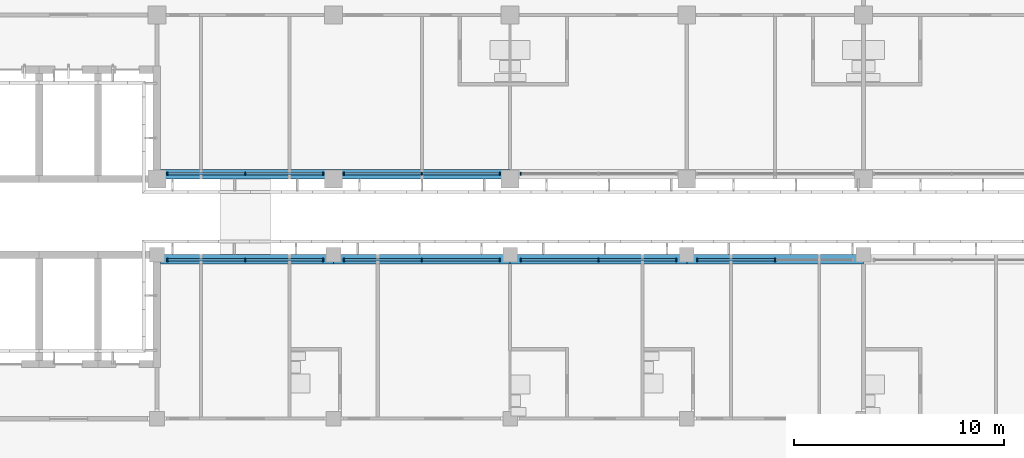
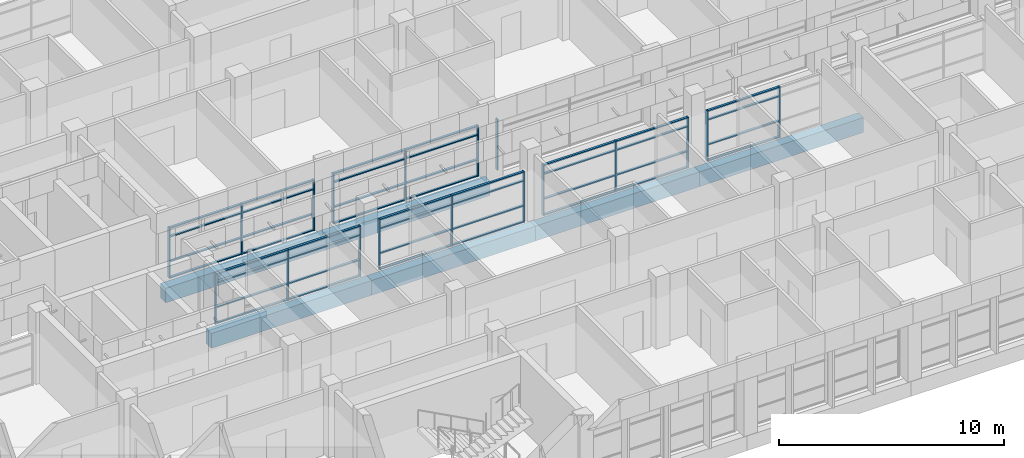
# One storey, part 6 of 74: 62 members, 6 beams, 7 elements without a shape of their own.
"""IFC4 building model written with IfcOpenShell, lengths in metres."""

from ifc_helpers import new_model, si_unit, direction, frame, origin, origin_2d, place, context, subcontext, project, spatial, rectangle, extrude, material, material_profile, profile_set, type_object, element, aggregate, save


model = new_model("IFC4")

# Units and contexts
model_context = context("Model", 3, precision=1e-05, world=origin(), true_north=direction((0.0, 1.0)))
body_context = subcontext(model_context, "Body", "Model", "MODEL_VIEW")
ifc_project = project(units=[si_unit("LENGTHUNIT", "METRE"), si_unit("AREAUNIT", "SQUARE_METRE"), si_unit("VOLUMEUNIT", "CUBIC_METRE"), si_unit("PLANEANGLEUNIT", "RADIAN"), si_unit("MASSUNIT", "GRAM", prefix="KILO")], contexts=[model_context])

# Site, building, storey
site_placement = place(None, origin())
site = spatial("IfcSite", under=ifc_project, at=site_placement, CompositionType="ELEMENT")
building_placement = place(site_placement, origin())
building = spatial("IfcBuilding", under=site, at=building_placement, Name="Bougainvillea Quay General Hospital", CompositionType="ELEMENT")
storey_placement = place(building_placement, frame((0.0, 0.0, 21.0)))
storey = spatial("IfcBuildingStorey", under=building, at=storey_placement, Name="L04", CompositionType="ELEMENT", Elevation=21.0)

# Curtain wall, members
ifc_material_1 = material(Name="Aluminium curtain wall system, powder-coated glazed", Category="aluminium")
curtain_wall_type = type_object("IfcCurtainWallType", Name="Unitised curtain wall CW-3730", PredefinedType="NOTDEFINED", material=ifc_material_1)
curtain_wall_1_placement = place(storey_placement, origin())
curtain_wall_1 = element("IfcCurtainWall", 1, at=curtain_wall_1_placement, inside=storey, type_object=curtain_wall_type, Name="CW-4200 00", PredefinedType="NOTDEFINED")
ifc_material_2 = material(Name="Aluminium mullion, powder-coated charcoal", Category="aluminium")
ifc_material_profile_1 = material_profile(ifc_material_2, rectangle(XDim=0.159912109375, YDim=0.06005859375, at=origin_2d()))
ifc_profile_set_1 = profile_set([ifc_material_profile_1], Name="Aluminium mullion, powder-coated charcoal")
member_type_1 = type_object("IfcMemberType", Name="Curtain wall mullion 160x60", PredefinedType="MULLION", material=ifc_profile_set_1)
member_1_placement = place(storey_placement, frame((76.10009765625, 140.64990234375, 0.0), z_axis=(0.0, 0.0, 1.0), x_axis=(0.0, 1.0, 0.0)))
member_1 = element("IfcMember", 2, at=member_1_placement, type_object=member_type_1, Name="CW-4200 mullion 1", PredefinedType="MULLION", context=body_context, shape_type="SweptSolid", body=[
    extrude(rectangle(XDim=0.159912109375, YDim=0.06005859375, at=origin_2d()), origin(), (0.0, 0.0, 1.0), 2.75),
])
member_2_placement = place(storey_placement, frame((79.800048828125, 140.64990234375, 0.0), z_axis=(0.0, 0.0, 1.0), x_axis=(0.0, 1.0, 0.0)))
member_2 = element("IfcMember", 3, at=member_2_placement, type_object=member_type_1, Name="CW-4200 mullion 2", PredefinedType="MULLION", context=body_context, shape_type="SweptSolid", body=[
    extrude(rectangle(XDim=0.159912109375, YDim=0.06005859375, at=origin_2d()), origin(), (0.0, 0.0, 1.0), 2.75),
])
member_3_placement = place(storey_placement, frame((83.5, 140.64990234375, 0.0), z_axis=(0.0, 0.0, 1.0), x_axis=(0.0, 1.0, 0.0)))
member_3 = element("IfcMember", 4, at=member_3_placement, type_object=member_type_1, Name="CW-4200 mullion 3", PredefinedType="MULLION", context=body_context, shape_type="SweptSolid", body=[
    extrude(rectangle(XDim=0.159912109375, YDim=0.06005859375, at=origin_2d()), origin(), (0.0, 0.0, 1.0), 2.75),
])

curtain_wall_2_placement = place(storey_placement, origin())
curtain_wall_2 = element("IfcCurtainWall", 5, at=curtain_wall_2_placement, inside=storey, type_object=curtain_wall_type, Name="CW-4200 01", PredefinedType="NOTDEFINED")
member_4_placement = place(storey_placement, frame((84.5, 140.64990234375, 0.0), z_axis=(0.0, 0.0, 1.0), x_axis=(0.0, 1.0, 0.0)))
member_4 = element("IfcMember", 6, at=member_4_placement, type_object=member_type_1, Name="CW-4200 mullion 1", PredefinedType="MULLION", context=body_context, shape_type="SweptSolid", body=[
    extrude(rectangle(XDim=0.159912109375, YDim=0.06005859375, at=origin_2d()), origin(), (0.0, 0.0, 1.0), 2.75),
])
member_5_placement = place(storey_placement, frame((88.199951171875, 140.64990234375, 0.0), z_axis=(0.0, 0.0, 1.0), x_axis=(0.0, 1.0, 0.0)))
member_5 = element("IfcMember", 7, at=member_5_placement, type_object=member_type_1, Name="CW-4200 mullion 2", PredefinedType="MULLION", context=body_context, shape_type="SweptSolid", body=[
    extrude(rectangle(XDim=0.159912109375, YDim=0.06005859375, at=origin_2d()), origin(), (0.0, 0.0, 1.0), 2.75),
])
member_6_placement = place(storey_placement, frame((91.89990234375, 140.64990234375, 0.0), z_axis=(0.0, 0.0, 1.0), x_axis=(0.0, 1.0, 0.0)))
member_6 = element("IfcMember", 8, at=member_6_placement, type_object=member_type_1, Name="CW-4200 mullion 3", PredefinedType="MULLION", context=body_context, shape_type="SweptSolid", body=[
    extrude(rectangle(XDim=0.159912109375, YDim=0.06005859375, at=origin_2d()), origin(), (0.0, 0.0, 1.0), 2.75),
])

# Curtain wall, member
curtain_wall_3_placement = place(storey_placement, origin())
curtain_wall_3 = element("IfcCurtainWall", 9, at=curtain_wall_3_placement, inside=storey, type_object=curtain_wall_type, Name="CW-4200 02", PredefinedType="NOTDEFINED")
member_7_placement = place(storey_placement, frame((92.89990234375, 140.64990234375, 0.0), z_axis=(0.0, 0.0, 1.0), x_axis=(0.0, 1.0, 0.0)))
member_7 = element("IfcMember", 10, at=member_7_placement, type_object=member_type_1, Name="CW-4200 mullion 1", PredefinedType="MULLION", context=body_context, shape_type="SweptSolid", body=[
    extrude(rectangle(XDim=0.159912109375, YDim=0.06005859375, at=origin_2d()), origin(), (0.0, 0.0, 1.0), 2.75),
])
aggregate(curtain_wall_3, [member_7])

# Curtain wall, members
curtain_wall_4_placement = place(storey_placement, origin())
curtain_wall_4 = element("IfcCurtainWall", 11, at=curtain_wall_4_placement, inside=storey, type_object=curtain_wall_type, Name="CW-4200 03", PredefinedType="NOTDEFINED")
member_8_placement = place(storey_placement, frame((105.0, 136.550048828125, 0.0), z_axis=(0.0, 0.0, 1.0), x_axis=(0.0, -1.0, 0.0)))
member_8 = element("IfcMember", 12, at=member_8_placement, type_object=member_type_1, Name="CW-4200 mullion 2", PredefinedType="MULLION", context=body_context, shape_type="SweptSolid", body=[
    extrude(rectangle(XDim=0.159912109375, YDim=0.06005859375, at=origin_2d()), origin(), (0.0, 0.0, 1.0), 2.75),
])
member_9_placement = place(storey_placement, frame((101.300048828125, 136.550048828125, 0.0), z_axis=(0.0, 0.0, 1.0), x_axis=(0.0, -1.0, 0.0)))
member_9 = element("IfcMember", 13, at=member_9_placement, type_object=member_type_1, Name="CW-4200 mullion 3", PredefinedType="MULLION", context=body_context, shape_type="SweptSolid", body=[
    extrude(rectangle(XDim=0.159912109375, YDim=0.06005859375, at=origin_2d()), origin(), (0.0, 0.0, 1.0), 2.75),
])

curtain_wall_5_placement = place(storey_placement, origin())
curtain_wall_5 = element("IfcCurtainWall", 14, at=curtain_wall_5_placement, inside=storey, type_object=curtain_wall_type, Name="CW-4200 04", PredefinedType="NOTDEFINED")
member_10_placement = place(storey_placement, frame((100.300048828125, 136.550048828125, 0.0), z_axis=(0.0, 0.0, 1.0), x_axis=(0.0, -1.0, 0.0)))
member_10 = element("IfcMember", 15, at=member_10_placement, type_object=member_type_1, Name="CW-4200 mullion 1", PredefinedType="MULLION", context=body_context, shape_type="SweptSolid", body=[
    extrude(rectangle(XDim=0.159912109375, YDim=0.06005859375, at=origin_2d()), origin(), (0.0, 0.0, 1.0), 2.75),
])
member_11_placement = place(storey_placement, frame((96.60009765625, 136.550048828125, 0.0), z_axis=(0.0, 0.0, 1.0), x_axis=(0.0, -1.0, 0.0)))
member_11 = element("IfcMember", 16, at=member_11_placement, type_object=member_type_1, Name="CW-4200 mullion 2", PredefinedType="MULLION", context=body_context, shape_type="SweptSolid", body=[
    extrude(rectangle(XDim=0.159912109375, YDim=0.06005859375, at=origin_2d()), origin(), (0.0, 0.0, 1.0), 2.75),
])
member_12_placement = place(storey_placement, frame((92.89990234375, 136.550048828125, 0.0), z_axis=(0.0, 0.0, 1.0), x_axis=(0.0, -1.0, 0.0)))
member_12 = element("IfcMember", 17, at=member_12_placement, type_object=member_type_1, Name="CW-4200 mullion 3", PredefinedType="MULLION", context=body_context, shape_type="SweptSolid", body=[
    extrude(rectangle(XDim=0.159912109375, YDim=0.06005859375, at=origin_2d()), origin(), (0.0, 0.0, 1.0), 2.75),
])

curtain_wall_6_placement = place(storey_placement, origin())
curtain_wall_6 = element("IfcCurtainWall", 18, at=curtain_wall_6_placement, inside=storey, type_object=curtain_wall_type, Name="CW-4200 05", PredefinedType="NOTDEFINED")
member_13_placement = place(storey_placement, frame((91.89990234375, 136.550048828125, 0.0), z_axis=(0.0, 0.0, 1.0), x_axis=(0.0, -1.0, 0.0)))
member_13 = element("IfcMember", 19, at=member_13_placement, type_object=member_type_1, Name="CW-4200 mullion 1", PredefinedType="MULLION", context=body_context, shape_type="SweptSolid", body=[
    extrude(rectangle(XDim=0.159912109375, YDim=0.06005859375, at=origin_2d()), origin(), (0.0, 0.0, 1.0), 2.75),
])
member_14_placement = place(storey_placement, frame((88.199951171875, 136.550048828125, 0.0), z_axis=(0.0, 0.0, 1.0), x_axis=(0.0, -1.0, 0.0)))
member_14 = element("IfcMember", 20, at=member_14_placement, type_object=member_type_1, Name="CW-4200 mullion 2", PredefinedType="MULLION", context=body_context, shape_type="SweptSolid", body=[
    extrude(rectangle(XDim=0.159912109375, YDim=0.06005859375, at=origin_2d()), origin(), (0.0, 0.0, 1.0), 2.75),
])
member_15_placement = place(storey_placement, frame((84.5, 136.550048828125, 0.0), z_axis=(0.0, 0.0, 1.0), x_axis=(0.0, -1.0, 0.0)))
member_15 = element("IfcMember", 21, at=member_15_placement, type_object=member_type_1, Name="CW-4200 mullion 3", PredefinedType="MULLION", context=body_context, shape_type="SweptSolid", body=[
    extrude(rectangle(XDim=0.159912109375, YDim=0.06005859375, at=origin_2d()), origin(), (0.0, 0.0, 1.0), 2.75),
])

curtain_wall_7_placement = place(storey_placement, origin())
curtain_wall_7 = element("IfcCurtainWall", 22, at=curtain_wall_7_placement, inside=storey, type_object=curtain_wall_type, Name="CW-4200 06", PredefinedType="NOTDEFINED")
member_16_placement = place(storey_placement, frame((83.5, 136.550048828125, 0.0), z_axis=(0.0, 0.0, 1.0), x_axis=(0.0, -1.0, 0.0)))
member_16 = element("IfcMember", 23, at=member_16_placement, type_object=member_type_1, Name="CW-4200 mullion 1", PredefinedType="MULLION", context=body_context, shape_type="SweptSolid", body=[
    extrude(rectangle(XDim=0.159912109375, YDim=0.06005859375, at=origin_2d()), origin(), (0.0, 0.0, 1.0), 2.75),
])
member_17_placement = place(storey_placement, frame((79.800048828125, 136.550048828125, 0.0), z_axis=(0.0, 0.0, 1.0), x_axis=(0.0, -1.0, 0.0)))
member_17 = element("IfcMember", 24, at=member_17_placement, type_object=member_type_1, Name="CW-4200 mullion 2", PredefinedType="MULLION", context=body_context, shape_type="SweptSolid", body=[
    extrude(rectangle(XDim=0.159912109375, YDim=0.06005859375, at=origin_2d()), origin(), (0.0, 0.0, 1.0), 2.75),
])
member_18_placement = place(storey_placement, frame((76.10009765625, 136.550048828125, 0.0), z_axis=(0.0, 0.0, 1.0), x_axis=(0.0, -1.0, 0.0)))
member_18 = element("IfcMember", 25, at=member_18_placement, type_object=member_type_1, Name="CW-4200 mullion 3", PredefinedType="MULLION", context=body_context, shape_type="SweptSolid", body=[
    extrude(rectangle(XDim=0.159912109375, YDim=0.06005859375, at=origin_2d()), origin(), (0.0, 0.0, 1.0), 2.75),
])

# Member
ifc_material_3 = material(Name="Aluminium transom, powder-coated charcoal", Category="aluminium")
ifc_material_profile_2 = material_profile(ifc_material_3, rectangle(XDim=0.1201171875, YDim=0.06005859375, at=origin_2d()))
ifc_profile_set_2 = profile_set([ifc_material_profile_2], Name="Aluminium transom, powder-coated charcoal")
member_type_2 = type_object("IfcMemberType", Name="Curtain wall transom 120x60", PredefinedType="USERDEFINED", material=ifc_profile_set_2)
member_19_placement = place(storey_placement, frame((76.1298828125, 140.64990234375, 0.030029296875), z_axis=(1.0, 0.0, 0.0), x_axis=(0.0, 1.0, 0.0)))
member_19 = element("IfcMember", 26, at=member_19_placement, type_object=member_type_2, Name="CW-4200 transom 1.1", ObjectType="TRANSOM", PredefinedType="USERDEFINED", context=body_context, shape_type="SweptSolid", body=[
    extrude(rectangle(XDim=0.1201171875, YDim=0.06005859375, at=origin_2d()), origin(), (0.0, 0.0, 1.0), 3.64013671875),
])

member_20_placement = place(storey_placement, frame((76.1298828125, 140.64990234375, 0.89990234375), z_axis=(1.0, 0.0, 0.0), x_axis=(0.0, 1.0, 0.0)))
member_20 = element("IfcMember", 27, at=member_20_placement, type_object=member_type_2, Name="CW-4200 transom 1.2", ObjectType="TRANSOM", PredefinedType="USERDEFINED", context=body_context, shape_type="SweptSolid", body=[
    extrude(rectangle(XDim=0.1201171875, YDim=0.06005859375, at=origin_2d()), origin(), (0.0, 0.0, 1.0), 3.64013671875),
])

member_21_placement = place(storey_placement, frame((76.1298828125, 140.64990234375, 2.25), z_axis=(1.0, 0.0, 0.0), x_axis=(0.0, 1.0, 0.0)))
member_21 = element("IfcMember", 28, at=member_21_placement, type_object=member_type_2, Name="CW-4200 transom 1.3", ObjectType="TRANSOM", PredefinedType="USERDEFINED", context=body_context, shape_type="SweptSolid", body=[
    extrude(rectangle(XDim=0.1201171875, YDim=0.06005859375, at=origin_2d()), origin(), (0.0, 0.0, 1.0), 3.64013671875),
])

member_22_placement = place(storey_placement, frame((76.1298828125, 140.64990234375, 2.719970703125), z_axis=(1.0, 0.0, 0.0), x_axis=(0.0, 1.0, 0.0)))
member_22 = element("IfcMember", 29, at=member_22_placement, type_object=member_type_2, Name="CW-4200 transom 1.4", ObjectType="TRANSOM", PredefinedType="USERDEFINED", context=body_context, shape_type="SweptSolid", body=[
    extrude(rectangle(XDim=0.1201171875, YDim=0.06005859375, at=origin_2d()), origin(), (0.0, 0.0, 1.0), 3.64013671875),
])

member_23_placement = place(storey_placement, frame((79.830078125, 140.64990234375, 0.030029296875), z_axis=(1.0, 0.0, 0.0), x_axis=(0.0, 1.0, 0.0)))
member_23 = element("IfcMember", 30, at=member_23_placement, type_object=member_type_2, Name="CW-4200 transom 2.1", ObjectType="TRANSOM", PredefinedType="USERDEFINED", context=body_context, shape_type="SweptSolid", body=[
    extrude(rectangle(XDim=0.1201171875, YDim=0.06005859375, at=origin_2d()), origin(), (0.0, 0.0, 1.0), 3.639892578125),
])

member_24_placement = place(storey_placement, frame((79.830078125, 140.64990234375, 0.89990234375), z_axis=(1.0, 0.0, 0.0), x_axis=(0.0, 1.0, 0.0)))
member_24 = element("IfcMember", 31, at=member_24_placement, type_object=member_type_2, Name="CW-4200 transom 2.2", ObjectType="TRANSOM", PredefinedType="USERDEFINED", context=body_context, shape_type="SweptSolid", body=[
    extrude(rectangle(XDim=0.1201171875, YDim=0.06005859375, at=origin_2d()), origin(), (0.0, 0.0, 1.0), 3.639892578125),
])

member_25_placement = place(storey_placement, frame((79.830078125, 140.64990234375, 2.25), z_axis=(1.0, 0.0, 0.0), x_axis=(0.0, 1.0, 0.0)))
member_25 = element("IfcMember", 32, at=member_25_placement, type_object=member_type_2, Name="CW-4200 transom 2.3", ObjectType="TRANSOM", PredefinedType="USERDEFINED", context=body_context, shape_type="SweptSolid", body=[
    extrude(rectangle(XDim=0.1201171875, YDim=0.06005859375, at=origin_2d()), origin(), (0.0, 0.0, 1.0), 3.639892578125),
])

member_26_placement = place(storey_placement, frame((79.830078125, 140.64990234375, 2.719970703125), z_axis=(1.0, 0.0, 0.0), x_axis=(0.0, 1.0, 0.0)))
member_26 = element("IfcMember", 33, at=member_26_placement, type_object=member_type_2, Name="CW-4200 transom 2.4", ObjectType="TRANSOM", PredefinedType="USERDEFINED", context=body_context, shape_type="SweptSolid", body=[
    extrude(rectangle(XDim=0.1201171875, YDim=0.06005859375, at=origin_2d()), origin(), (0.0, 0.0, 1.0), 3.639892578125),
])

aggregate(curtain_wall_1, [member_1, member_2, member_3, member_19, member_20, member_21, member_22, member_23, member_24, member_25, member_26])

member_27_placement = place(storey_placement, frame((84.530029296875, 140.64990234375, 0.030029296875), z_axis=(1.0, 0.0, 0.0), x_axis=(0.0, 1.0, 0.0)))
member_27 = element("IfcMember", 34, at=member_27_placement, type_object=member_type_2, Name="CW-4200 transom 1.1", ObjectType="TRANSOM", PredefinedType="USERDEFINED", context=body_context, shape_type="SweptSolid", body=[
    extrude(rectangle(XDim=0.1201171875, YDim=0.06005859375, at=origin_2d()), origin(), (0.0, 0.0, 1.0), 3.639892578125),
])

member_28_placement = place(storey_placement, frame((84.530029296875, 140.64990234375, 0.89990234375), z_axis=(1.0, 0.0, 0.0), x_axis=(0.0, 1.0, 0.0)))
member_28 = element("IfcMember", 35, at=member_28_placement, type_object=member_type_2, Name="CW-4200 transom 1.2", ObjectType="TRANSOM", PredefinedType="USERDEFINED", context=body_context, shape_type="SweptSolid", body=[
    extrude(rectangle(XDim=0.1201171875, YDim=0.06005859375, at=origin_2d()), origin(), (0.0, 0.0, 1.0), 3.639892578125),
])

member_29_placement = place(storey_placement, frame((84.530029296875, 140.64990234375, 2.25), z_axis=(1.0, 0.0, 0.0), x_axis=(0.0, 1.0, 0.0)))
member_29 = element("IfcMember", 36, at=member_29_placement, type_object=member_type_2, Name="CW-4200 transom 1.3", ObjectType="TRANSOM", PredefinedType="USERDEFINED", context=body_context, shape_type="SweptSolid", body=[
    extrude(rectangle(XDim=0.1201171875, YDim=0.06005859375, at=origin_2d()), origin(), (0.0, 0.0, 1.0), 3.639892578125),
])

member_30_placement = place(storey_placement, frame((84.530029296875, 140.64990234375, 2.719970703125), z_axis=(1.0, 0.0, 0.0), x_axis=(0.0, 1.0, 0.0)))
member_30 = element("IfcMember", 37, at=member_30_placement, type_object=member_type_2, Name="CW-4200 transom 1.4", ObjectType="TRANSOM", PredefinedType="USERDEFINED", context=body_context, shape_type="SweptSolid", body=[
    extrude(rectangle(XDim=0.1201171875, YDim=0.06005859375, at=origin_2d()), origin(), (0.0, 0.0, 1.0), 3.639892578125),
])

member_31_placement = place(storey_placement, frame((88.22998046875, 140.64990234375, 0.030029296875), z_axis=(1.0, 0.0, 0.0), x_axis=(0.0, 1.0, 0.0)))
member_31 = element("IfcMember", 38, at=member_31_placement, type_object=member_type_2, Name="CW-4200 transom 2.1", ObjectType="TRANSOM", PredefinedType="USERDEFINED", context=body_context, shape_type="SweptSolid", body=[
    extrude(rectangle(XDim=0.1201171875, YDim=0.06005859375, at=origin_2d()), origin(), (0.0, 0.0, 1.0), 3.64013671875),
])

member_32_placement = place(storey_placement, frame((88.22998046875, 140.64990234375, 0.89990234375), z_axis=(1.0, 0.0, 0.0), x_axis=(0.0, 1.0, 0.0)))
member_32 = element("IfcMember", 39, at=member_32_placement, type_object=member_type_2, Name="CW-4200 transom 2.2", ObjectType="TRANSOM", PredefinedType="USERDEFINED", context=body_context, shape_type="SweptSolid", body=[
    extrude(rectangle(XDim=0.1201171875, YDim=0.06005859375, at=origin_2d()), origin(), (0.0, 0.0, 1.0), 3.64013671875),
])

member_33_placement = place(storey_placement, frame((88.22998046875, 140.64990234375, 2.25), z_axis=(1.0, 0.0, 0.0), x_axis=(0.0, 1.0, 0.0)))
member_33 = element("IfcMember", 40, at=member_33_placement, type_object=member_type_2, Name="CW-4200 transom 2.3", ObjectType="TRANSOM", PredefinedType="USERDEFINED", context=body_context, shape_type="SweptSolid", body=[
    extrude(rectangle(XDim=0.1201171875, YDim=0.06005859375, at=origin_2d()), origin(), (0.0, 0.0, 1.0), 3.64013671875),
])

member_34_placement = place(storey_placement, frame((88.22998046875, 140.64990234375, 2.719970703125), z_axis=(1.0, 0.0, 0.0), x_axis=(0.0, 1.0, 0.0)))
member_34 = element("IfcMember", 41, at=member_34_placement, type_object=member_type_2, Name="CW-4200 transom 2.4", ObjectType="TRANSOM", PredefinedType="USERDEFINED", context=body_context, shape_type="SweptSolid", body=[
    extrude(rectangle(XDim=0.1201171875, YDim=0.06005859375, at=origin_2d()), origin(), (0.0, 0.0, 1.0), 3.64013671875),
])

aggregate(curtain_wall_2, [member_4, member_5, member_6, member_27, member_28, member_29, member_30, member_31, member_32, member_33, member_34])

member_35_placement = place(storey_placement, frame((104.969970703125, 136.550048828125, 0.030029296875), z_axis=(-1.0, 0.0, 0.0), x_axis=(0.0, -1.0, 0.0)))
member_35 = element("IfcMember", 42, at=member_35_placement, type_object=member_type_2, Name="CW-4200 transom 2.1", ObjectType="TRANSOM", PredefinedType="USERDEFINED", context=body_context, shape_type="SweptSolid", body=[
    extrude(rectangle(XDim=0.1201171875, YDim=0.06005859375, at=origin_2d()), origin(), (0.0, 0.0, 1.0), 3.639892578125),
])

member_36_placement = place(storey_placement, frame((104.969970703125, 136.550048828125, 0.89990234375), z_axis=(-1.0, 0.0, 0.0), x_axis=(0.0, -1.0, 0.0)))
member_36 = element("IfcMember", 43, at=member_36_placement, type_object=member_type_2, Name="CW-4200 transom 2.2", ObjectType="TRANSOM", PredefinedType="USERDEFINED", context=body_context, shape_type="SweptSolid", body=[
    extrude(rectangle(XDim=0.1201171875, YDim=0.06005859375, at=origin_2d()), origin(), (0.0, 0.0, 1.0), 3.639892578125),
])

member_37_placement = place(storey_placement, frame((104.969970703125, 136.550048828125, 2.25), z_axis=(-1.0, 0.0, 0.0), x_axis=(0.0, -1.0, 0.0)))
member_37 = element("IfcMember", 44, at=member_37_placement, type_object=member_type_2, Name="CW-4200 transom 2.3", ObjectType="TRANSOM", PredefinedType="USERDEFINED", context=body_context, shape_type="SweptSolid", body=[
    extrude(rectangle(XDim=0.1201171875, YDim=0.06005859375, at=origin_2d()), origin(), (0.0, 0.0, 1.0), 3.639892578125),
])

member_38_placement = place(storey_placement, frame((104.969970703125, 136.550048828125, 2.719970703125), z_axis=(-1.0, 0.0, 0.0), x_axis=(0.0, -1.0, 0.0)))
member_38 = element("IfcMember", 45, at=member_38_placement, type_object=member_type_2, Name="CW-4200 transom 2.4", ObjectType="TRANSOM", PredefinedType="USERDEFINED", context=body_context, shape_type="SweptSolid", body=[
    extrude(rectangle(XDim=0.1201171875, YDim=0.06005859375, at=origin_2d()), origin(), (0.0, 0.0, 1.0), 3.639892578125),
])

aggregate(curtain_wall_4, [member_8, member_9, member_35, member_36, member_37, member_38])

member_39_placement = place(storey_placement, frame((100.27001953125, 136.550048828125, 0.030029296875), z_axis=(-1.0, 0.0, 0.0), x_axis=(0.0, -1.0, 0.0)))
member_39 = element("IfcMember", 46, at=member_39_placement, type_object=member_type_2, Name="CW-4200 transom 1.1", ObjectType="TRANSOM", PredefinedType="USERDEFINED", context=body_context, shape_type="SweptSolid", body=[
    extrude(rectangle(XDim=0.1201171875, YDim=0.06005859375, at=origin_2d()), origin(), (0.0, 0.0, 1.0), 3.64013671875),
])

member_40_placement = place(storey_placement, frame((100.27001953125, 136.550048828125, 0.89990234375), z_axis=(-1.0, 0.0, 0.0), x_axis=(0.0, -1.0, 0.0)))
member_40 = element("IfcMember", 47, at=member_40_placement, type_object=member_type_2, Name="CW-4200 transom 1.2", ObjectType="TRANSOM", PredefinedType="USERDEFINED", context=body_context, shape_type="SweptSolid", body=[
    extrude(rectangle(XDim=0.1201171875, YDim=0.06005859375, at=origin_2d()), origin(), (0.0, 0.0, 1.0), 3.64013671875),
])

member_41_placement = place(storey_placement, frame((100.27001953125, 136.550048828125, 2.25), z_axis=(-1.0, 0.0, 0.0), x_axis=(0.0, -1.0, 0.0)))
member_41 = element("IfcMember", 48, at=member_41_placement, type_object=member_type_2, Name="CW-4200 transom 1.3", ObjectType="TRANSOM", PredefinedType="USERDEFINED", context=body_context, shape_type="SweptSolid", body=[
    extrude(rectangle(XDim=0.1201171875, YDim=0.06005859375, at=origin_2d()), origin(), (0.0, 0.0, 1.0), 3.64013671875),
])

member_42_placement = place(storey_placement, frame((100.27001953125, 136.550048828125, 2.719970703125), z_axis=(-1.0, 0.0, 0.0), x_axis=(0.0, -1.0, 0.0)))
member_42 = element("IfcMember", 49, at=member_42_placement, type_object=member_type_2, Name="CW-4200 transom 1.4", ObjectType="TRANSOM", PredefinedType="USERDEFINED", context=body_context, shape_type="SweptSolid", body=[
    extrude(rectangle(XDim=0.1201171875, YDim=0.06005859375, at=origin_2d()), origin(), (0.0, 0.0, 1.0), 3.64013671875),
])

member_43_placement = place(storey_placement, frame((96.570068359375, 136.550048828125, 0.030029296875), z_axis=(-1.0, 0.0, 0.0), x_axis=(0.0, -1.0, 0.0)))
member_43 = element("IfcMember", 50, at=member_43_placement, type_object=member_type_2, Name="CW-4200 transom 2.1", ObjectType="TRANSOM", PredefinedType="USERDEFINED", context=body_context, shape_type="SweptSolid", body=[
    extrude(rectangle(XDim=0.1201171875, YDim=0.06005859375, at=origin_2d()), origin(), (0.0, 0.0, 1.0), 3.64013671875),
])

member_44_placement = place(storey_placement, frame((96.570068359375, 136.550048828125, 0.89990234375), z_axis=(-1.0, 0.0, 0.0), x_axis=(0.0, -1.0, 0.0)))
member_44 = element("IfcMember", 51, at=member_44_placement, type_object=member_type_2, Name="CW-4200 transom 2.2", ObjectType="TRANSOM", PredefinedType="USERDEFINED", context=body_context, shape_type="SweptSolid", body=[
    extrude(rectangle(XDim=0.1201171875, YDim=0.06005859375, at=origin_2d()), origin(), (0.0, 0.0, 1.0), 3.64013671875),
])

member_45_placement = place(storey_placement, frame((96.570068359375, 136.550048828125, 2.25), z_axis=(-1.0, 0.0, 0.0), x_axis=(0.0, -1.0, 0.0)))
member_45 = element("IfcMember", 52, at=member_45_placement, type_object=member_type_2, Name="CW-4200 transom 2.3", ObjectType="TRANSOM", PredefinedType="USERDEFINED", context=body_context, shape_type="SweptSolid", body=[
    extrude(rectangle(XDim=0.1201171875, YDim=0.06005859375, at=origin_2d()), origin(), (0.0, 0.0, 1.0), 3.64013671875),
])

member_46_placement = place(storey_placement, frame((96.570068359375, 136.550048828125, 2.719970703125), z_axis=(-1.0, 0.0, 0.0), x_axis=(0.0, -1.0, 0.0)))
member_46 = element("IfcMember", 53, at=member_46_placement, type_object=member_type_2, Name="CW-4200 transom 2.4", ObjectType="TRANSOM", PredefinedType="USERDEFINED", context=body_context, shape_type="SweptSolid", body=[
    extrude(rectangle(XDim=0.1201171875, YDim=0.06005859375, at=origin_2d()), origin(), (0.0, 0.0, 1.0), 3.64013671875),
])

aggregate(curtain_wall_5, [member_10, member_11, member_12, member_39, member_40, member_41, member_42, member_43, member_44, member_45, member_46])

member_47_placement = place(storey_placement, frame((91.8701171875, 136.550048828125, 0.030029296875), z_axis=(-1.0, 0.0, 0.0), x_axis=(0.0, -1.0, 0.0)))
member_47 = element("IfcMember", 54, at=member_47_placement, type_object=member_type_2, Name="CW-4200 transom 1.1", ObjectType="TRANSOM", PredefinedType="USERDEFINED", context=body_context, shape_type="SweptSolid", body=[
    extrude(rectangle(XDim=0.1201171875, YDim=0.06005859375, at=origin_2d()), origin(), (0.0, 0.0, 1.0), 3.64013671875),
])

member_48_placement = place(storey_placement, frame((91.8701171875, 136.550048828125, 0.89990234375), z_axis=(-1.0, 0.0, 0.0), x_axis=(0.0, -1.0, 0.0)))
member_48 = element("IfcMember", 55, at=member_48_placement, type_object=member_type_2, Name="CW-4200 transom 1.2", ObjectType="TRANSOM", PredefinedType="USERDEFINED", context=body_context, shape_type="SweptSolid", body=[
    extrude(rectangle(XDim=0.1201171875, YDim=0.06005859375, at=origin_2d()), origin(), (0.0, 0.0, 1.0), 3.64013671875),
])

member_49_placement = place(storey_placement, frame((91.8701171875, 136.550048828125, 2.25), z_axis=(-1.0, 0.0, 0.0), x_axis=(0.0, -1.0, 0.0)))
member_49 = element("IfcMember", 56, at=member_49_placement, type_object=member_type_2, Name="CW-4200 transom 1.3", ObjectType="TRANSOM", PredefinedType="USERDEFINED", context=body_context, shape_type="SweptSolid", body=[
    extrude(rectangle(XDim=0.1201171875, YDim=0.06005859375, at=origin_2d()), origin(), (0.0, 0.0, 1.0), 3.64013671875),
])

member_50_placement = place(storey_placement, frame((91.8701171875, 136.550048828125, 2.719970703125), z_axis=(-1.0, 0.0, 0.0), x_axis=(0.0, -1.0, 0.0)))
member_50 = element("IfcMember", 57, at=member_50_placement, type_object=member_type_2, Name="CW-4200 transom 1.4", ObjectType="TRANSOM", PredefinedType="USERDEFINED", context=body_context, shape_type="SweptSolid", body=[
    extrude(rectangle(XDim=0.1201171875, YDim=0.06005859375, at=origin_2d()), origin(), (0.0, 0.0, 1.0), 3.64013671875),
])

member_51_placement = place(storey_placement, frame((88.169921875, 136.550048828125, 0.030029296875), z_axis=(-1.0, 0.0, 0.0), x_axis=(0.0, -1.0, 0.0)))
member_51 = element("IfcMember", 58, at=member_51_placement, type_object=member_type_2, Name="CW-4200 transom 2.1", ObjectType="TRANSOM", PredefinedType="USERDEFINED", context=body_context, shape_type="SweptSolid", body=[
    extrude(rectangle(XDim=0.1201171875, YDim=0.06005859375, at=origin_2d()), origin(), (0.0, 0.0, 1.0), 3.639892578125),
])

member_52_placement = place(storey_placement, frame((88.169921875, 136.550048828125, 0.89990234375), z_axis=(-1.0, 0.0, 0.0), x_axis=(0.0, -1.0, 0.0)))
member_52 = element("IfcMember", 59, at=member_52_placement, type_object=member_type_2, Name="CW-4200 transom 2.2", ObjectType="TRANSOM", PredefinedType="USERDEFINED", context=body_context, shape_type="SweptSolid", body=[
    extrude(rectangle(XDim=0.1201171875, YDim=0.06005859375, at=origin_2d()), origin(), (0.0, 0.0, 1.0), 3.639892578125),
])

member_53_placement = place(storey_placement, frame((88.169921875, 136.550048828125, 2.25), z_axis=(-1.0, 0.0, 0.0), x_axis=(0.0, -1.0, 0.0)))
member_53 = element("IfcMember", 60, at=member_53_placement, type_object=member_type_2, Name="CW-4200 transom 2.3", ObjectType="TRANSOM", PredefinedType="USERDEFINED", context=body_context, shape_type="SweptSolid", body=[
    extrude(rectangle(XDim=0.1201171875, YDim=0.06005859375, at=origin_2d()), origin(), (0.0, 0.0, 1.0), 3.639892578125),
])

member_54_placement = place(storey_placement, frame((88.169921875, 136.550048828125, 2.719970703125), z_axis=(-1.0, 0.0, 0.0), x_axis=(0.0, -1.0, 0.0)))
member_54 = element("IfcMember", 61, at=member_54_placement, type_object=member_type_2, Name="CW-4200 transom 2.4", ObjectType="TRANSOM", PredefinedType="USERDEFINED", context=body_context, shape_type="SweptSolid", body=[
    extrude(rectangle(XDim=0.1201171875, YDim=0.06005859375, at=origin_2d()), origin(), (0.0, 0.0, 1.0), 3.639892578125),
])

aggregate(curtain_wall_6, [member_13, member_14, member_15, member_47, member_48, member_49, member_50, member_51, member_52, member_53, member_54])

member_55_placement = place(storey_placement, frame((83.469970703125, 136.550048828125, 0.030029296875), z_axis=(-1.0, 0.0, 0.0), x_axis=(0.0, -1.0, 0.0)))
member_55 = element("IfcMember", 62, at=member_55_placement, type_object=member_type_2, Name="CW-4200 transom 1.1", ObjectType="TRANSOM", PredefinedType="USERDEFINED", context=body_context, shape_type="SweptSolid", body=[
    extrude(rectangle(XDim=0.1201171875, YDim=0.06005859375, at=origin_2d()), origin(), (0.0, 0.0, 1.0), 3.639892578125),
])

member_56_placement = place(storey_placement, frame((83.469970703125, 136.550048828125, 0.89990234375), z_axis=(-1.0, 0.0, 0.0), x_axis=(0.0, -1.0, 0.0)))
member_56 = element("IfcMember", 63, at=member_56_placement, type_object=member_type_2, Name="CW-4200 transom 1.2", ObjectType="TRANSOM", PredefinedType="USERDEFINED", context=body_context, shape_type="SweptSolid", body=[
    extrude(rectangle(XDim=0.1201171875, YDim=0.06005859375, at=origin_2d()), origin(), (0.0, 0.0, 1.0), 3.639892578125),
])

member_57_placement = place(storey_placement, frame((83.469970703125, 136.550048828125, 2.25), z_axis=(-1.0, 0.0, 0.0), x_axis=(0.0, -1.0, 0.0)))
member_57 = element("IfcMember", 64, at=member_57_placement, type_object=member_type_2, Name="CW-4200 transom 1.3", ObjectType="TRANSOM", PredefinedType="USERDEFINED", context=body_context, shape_type="SweptSolid", body=[
    extrude(rectangle(XDim=0.1201171875, YDim=0.06005859375, at=origin_2d()), origin(), (0.0, 0.0, 1.0), 3.639892578125),
])

member_58_placement = place(storey_placement, frame((83.469970703125, 136.550048828125, 2.719970703125), z_axis=(-1.0, 0.0, 0.0), x_axis=(0.0, -1.0, 0.0)))
member_58 = element("IfcMember", 65, at=member_58_placement, type_object=member_type_2, Name="CW-4200 transom 1.4", ObjectType="TRANSOM", PredefinedType="USERDEFINED", context=body_context, shape_type="SweptSolid", body=[
    extrude(rectangle(XDim=0.1201171875, YDim=0.06005859375, at=origin_2d()), origin(), (0.0, 0.0, 1.0), 3.639892578125),
])

member_59_placement = place(storey_placement, frame((79.77001953125, 136.550048828125, 0.030029296875), z_axis=(-1.0, 0.0, 0.0), x_axis=(0.0, -1.0, 0.0)))
member_59 = element("IfcMember", 66, at=member_59_placement, type_object=member_type_2, Name="CW-4200 transom 2.1", ObjectType="TRANSOM", PredefinedType="USERDEFINED", context=body_context, shape_type="SweptSolid", body=[
    extrude(rectangle(XDim=0.1201171875, YDim=0.06005859375, at=origin_2d()), origin(), (0.0, 0.0, 1.0), 3.64013671875),
])

member_60_placement = place(storey_placement, frame((79.77001953125, 136.550048828125, 0.89990234375), z_axis=(-1.0, 0.0, 0.0), x_axis=(0.0, -1.0, 0.0)))
member_60 = element("IfcMember", 67, at=member_60_placement, type_object=member_type_2, Name="CW-4200 transom 2.2", ObjectType="TRANSOM", PredefinedType="USERDEFINED", context=body_context, shape_type="SweptSolid", body=[
    extrude(rectangle(XDim=0.1201171875, YDim=0.06005859375, at=origin_2d()), origin(), (0.0, 0.0, 1.0), 3.64013671875),
])

member_61_placement = place(storey_placement, frame((79.77001953125, 136.550048828125, 2.25), z_axis=(-1.0, 0.0, 0.0), x_axis=(0.0, -1.0, 0.0)))
member_61 = element("IfcMember", 68, at=member_61_placement, type_object=member_type_2, Name="CW-4200 transom 2.3", ObjectType="TRANSOM", PredefinedType="USERDEFINED", context=body_context, shape_type="SweptSolid", body=[
    extrude(rectangle(XDim=0.1201171875, YDim=0.06005859375, at=origin_2d()), origin(), (0.0, 0.0, 1.0), 3.64013671875),
])

member_62_placement = place(storey_placement, frame((79.77001953125, 136.550048828125, 2.719970703125), z_axis=(-1.0, 0.0, 0.0), x_axis=(0.0, -1.0, 0.0)))
member_62 = element("IfcMember", 69, at=member_62_placement, type_object=member_type_2, Name="CW-4200 transom 2.4", ObjectType="TRANSOM", PredefinedType="USERDEFINED", context=body_context, shape_type="SweptSolid", body=[
    extrude(rectangle(XDim=0.1201171875, YDim=0.06005859375, at=origin_2d()), origin(), (0.0, 0.0, 1.0), 3.64013671875),
])

aggregate(curtain_wall_7, [member_16, member_17, member_18, member_55, member_56, member_57, member_58, member_59, member_60, member_61, member_62])

# Beams
ifc_material_4 = material(Name="Concrete C40", Category="concrete")
ifc_material_profile_3 = material_profile(ifc_material_4, rectangle(XDim=0.449951171875, YDim=0.800048828125, at=origin_2d()))
ifc_profile_set_3 = profile_set([ifc_material_profile_3], Name="Concrete C40")
beam_type = type_object("IfcBeamType", Name="RC BEAM 450x800 C40", PredefinedType="BEAM", material=ifc_profile_set_3)
beam_1_placement = place(storey_placement, frame((75.77490234375, 140.625, -0.699951171875), z_axis=(1.0, 0.0, 0.0), x_axis=(0.0, 1.0, 0.0)))
element("IfcBeam", 70, at=beam_1_placement, inside=storey, type_object=beam_type, Name="Edge beam L04", PredefinedType="BEAM", context=body_context, shape_type="SweptSolid", body=[
    extrude(rectangle(XDim=0.449951171875, YDim=0.800048828125, at=origin_2d()), origin(), (0.0, 0.0, 1.0), 8.22509765625),
])
for number, where, z_axis, x_axis, name in (
    (71, (84.0, 140.625, -0.699951171875), (1.0, 0.0, 0.0), (0.0, 1.0, 0.0), "Edge beam L04"),
    (72, (109.199951171875, 136.574951171875, -0.699951171875), (-1.0, 0.0, 0.0), (0.0, -1.0, 0.0), "Edge beam L04"),
):
    element("IfcBeam", number, at=place(storey_placement, frame(where, z_axis=z_axis, x_axis=x_axis)), inside=storey, type_object=beam_type, Name=name, PredefinedType="BEAM", context=body_context, shape_type="SweptSolid", body=[
        extrude(rectangle(XDim=0.449951171875, YDim=0.800048828125, at=origin_2d()), origin(), (0.0, 0.0, 1.0), 8.39990234375),
    ])
beam_2_placement = place(storey_placement, frame((100.800048828125, 136.574951171875, -0.699951171875), z_axis=(-1.0, 0.0, 0.0), x_axis=(0.0, -1.0, 0.0)))
element("IfcBeam", 73, at=beam_2_placement, inside=storey, type_object=beam_type, Name="Edge beam L04", PredefinedType="BEAM", context=body_context, shape_type="SweptSolid", body=[
    extrude(rectangle(XDim=0.449951171875, YDim=0.800048828125, at=origin_2d()), origin(), (0.0, 0.0, 1.0), 8.400146484375),
])
beam_3_placement = place(storey_placement, frame((92.39990234375, 136.574951171875, -0.699951171875), z_axis=(-1.0, 0.0, 0.0), x_axis=(0.0, -1.0, 0.0)))
element("IfcBeam", 74, at=beam_3_placement, inside=storey, type_object=beam_type, Name="Edge beam L04", PredefinedType="BEAM", context=body_context, shape_type="SweptSolid", body=[
    extrude(rectangle(XDim=0.449951171875, YDim=0.800048828125, at=origin_2d()), origin(), (0.0, 0.0, 1.0), 8.39990234375),
])
beam_4_placement = place(storey_placement, frame((84.0, 136.574951171875, -0.699951171875), z_axis=(-1.0, 0.0, 0.0), x_axis=(0.0, -1.0, 0.0)))
element("IfcBeam", 75, at=beam_4_placement, inside=storey, type_object=beam_type, Name="Edge beam L04", PredefinedType="BEAM", context=body_context, shape_type="SweptSolid", body=[
    extrude(rectangle(XDim=0.449951171875, YDim=0.800048828125, at=origin_2d()), origin(), (0.0, 0.0, 1.0), 8.22509765625),
])

save(model, "model.ifc")
